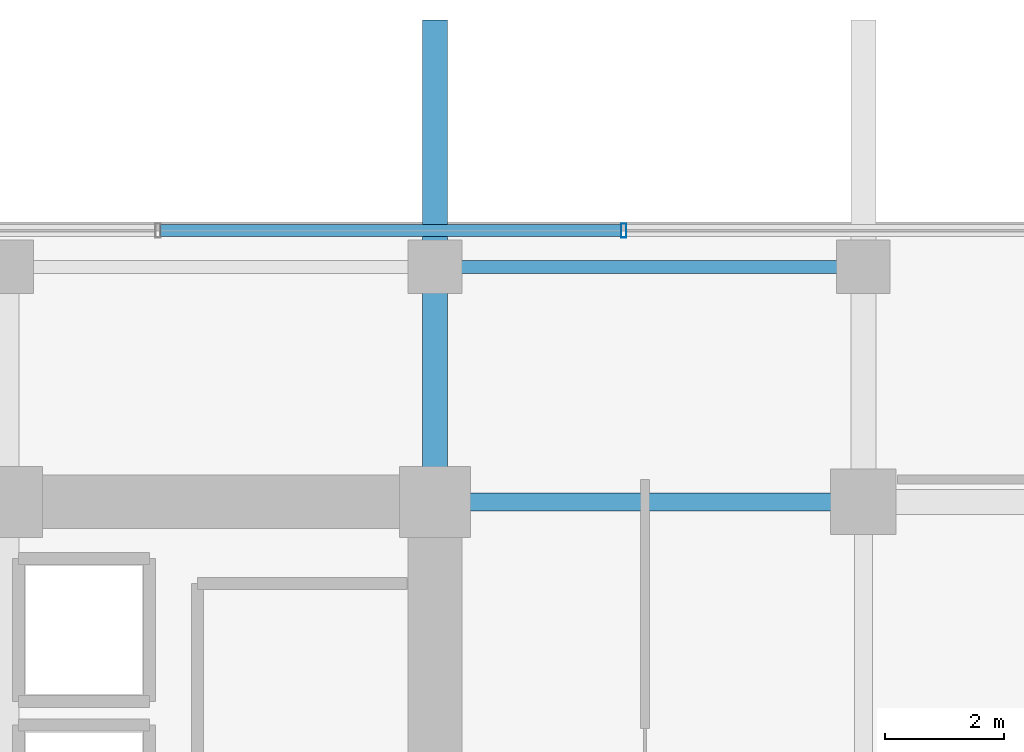
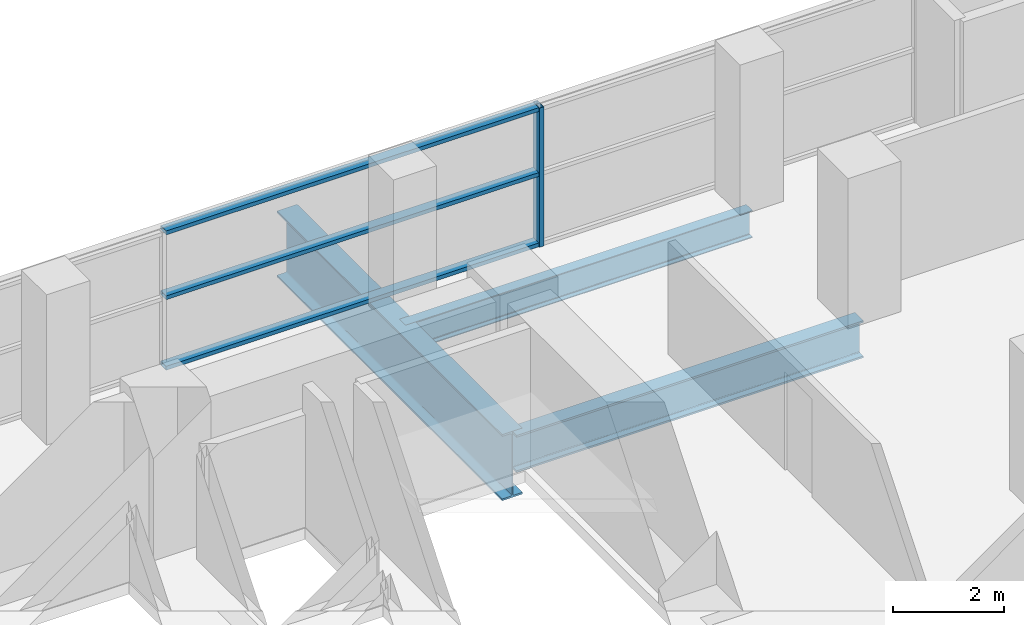
# One storey, part 20 of 32: 4 members, 3 beams, 1 element without a shape of its own.
"""IFC4 building model written with IfcOpenShell, lengths in metres."""

from ifc_helpers import new_model, si_unit, direction, frame, origin, origin_2d, place, context, subcontext, project, spatial, hollow_rectangle, i_section, extrude, source, transform, mapped, material, layer, layer_set, material_profile, profile_set, type_object, element, aggregate, save


model = new_model("IFC4")

# Units and contexts
model_context = context("Model", 3, precision=1e-05, world=origin(), true_north=direction((0.0, 1.0)))
body_context = subcontext(model_context, "Body", "Model", "MODEL_VIEW")
ifc_project = project(units=[si_unit("LENGTHUNIT", "METRE"), si_unit("AREAUNIT", "SQUARE_METRE"), si_unit("VOLUMEUNIT", "CUBIC_METRE"), si_unit("PLANEANGLEUNIT", "RADIAN"), si_unit("MASSUNIT", "GRAM", prefix="KILO")], contexts=[model_context])

# Site, building, storey
site_placement = place(None, origin())
site = spatial("IfcSite", under=ifc_project, at=site_placement, CompositionType="ELEMENT")
building_placement = place(site_placement, origin())
building = spatial("IfcBuilding", under=site, at=building_placement, Name="Zarnakvel Exchange Tower", CompositionType="ELEMENT")
storey_placement = place(building_placement, frame((0.0, 0.0, 27.39990234375)))
storey = spatial("IfcBuildingStorey", under=building, at=storey_placement, Name="L06", CompositionType="ELEMENT", Elevation=27.39990234375)

# Beams
ifc_material_1 = material(Name="Steel S355", Category="steel")
ifc_material_profile_1 = material_profile(ifc_material_1, i_section(OverallWidth=0.219970703125, OverallDepth=0.60009765625, WebThickness=0.011962890625, FlangeThickness=0.01904296875, FilletRadius=0.02392578125, at=origin_2d()))
ifc_profile_set_1 = profile_set([ifc_material_profile_1], Name="Steel S355")
beam_type_1 = type_object("IfcBeamType", Name="SP-01", PredefinedType="SPANDREL", material=ifc_profile_set_1)
beam_1_placement = place(storey_placement, frame((14.39990234375, 17.449951171875, -0.5498046875), z_axis=(1.0, 0.0, 0.0), x_axis=(0.0, 1.0, 0.0)))
element("IfcBeam", 1, at=beam_1_placement, inside=storey, type_object=beam_type_1, Name="L06 Tower E-W Frame Beam", PredefinedType="SPANDREL", context=body_context, shape_type="SweptSolid", body=[
    extrude(i_section(OverallWidth=0.219970703125, OverallDepth=0.60009765625, WebThickness=0.011962890625, FlangeThickness=0.01904296875, FilletRadius=0.02392578125, at=origin_2d()), origin(), (0.0, 0.0, 1.0), 7.2001953125),
])
ifc_material_2 = material(Name="Steel S460", Category="steel")
ifc_material_profile_2 = material_profile(ifc_material_2, i_section(OverallWidth=0.419921875, OverallDepth=1.449951171875, WebThickness=0.02392578125, FlangeThickness=0.0400390625, FilletRadius=0.030029296875, at=origin_2d()))
ifc_profile_set_2 = profile_set([ifc_material_profile_2], Name="Steel S460")
beam_type_2 = type_object("IfcBeamType", Name="TG-01", PredefinedType="BEAM", material=ifc_profile_set_2)
beam_2_placement = place(storey_placement, frame((14.39990234375, 13.5, -0.974853515625), z_axis=(0.0, 1.0, 0.0), x_axis=(-1.0, 0.0, 0.0)))
element("IfcBeam", 2, at=beam_2_placement, inside=storey, type_object=beam_type_2, Name="L06 Setback N-S Transfer Girder TN-9", PredefinedType="BEAM", context=body_context, shape_type="SweptSolid", body=[
    extrude(i_section(OverallWidth=0.419921875, OverallDepth=1.449951171875, WebThickness=0.02392578125, FlangeThickness=0.0400390625, FilletRadius=0.030029296875, at=origin_2d()), origin(), (0.0, 0.0, 1.0), 8.10009765625),
])
ifc_material_profile_3 = material_profile(ifc_material_2, i_section(OverallWidth=0.302978515625, OverallDepth=0.81396484375, WebThickness=0.02099609375, FlangeThickness=0.0400390625, FilletRadius=0.030029296875, at=origin_2d()))
ifc_profile_set_3 = profile_set([ifc_material_profile_3], Name="Steel S460")
beam_type_3 = type_object("IfcBeamType", Name="TG-06", PredefinedType="BEAM", material=ifc_profile_set_3)
beam_3_placement = place(storey_placement, frame((14.39990234375, 13.5, -0.656982421875), z_axis=(1.0, 0.0, 0.0), x_axis=(0.0, 1.0, 0.0)))
element("IfcBeam", 3, at=beam_3_placement, inside=storey, type_object=beam_type_3, Name="L06 Podium Collector Girder TG-06", PredefinedType="BEAM", context=body_context, shape_type="SweptSolid", body=[
    extrude(i_section(OverallWidth=0.302978515625, OverallDepth=0.81396484375, WebThickness=0.02099609375, FlangeThickness=0.0400390625, FilletRadius=0.030029296875, at=origin_2d()), origin(), (0.0, 0.0, 1.0), 7.2001953125),
])

# Curtain wall, members
ifc_material_3 = material(Name="Architectural Bronze Anodised Aluminium", Category="aluminium")
ifc_layer = layer(ifc_material_3, 0.239990234375)
ifc_layer_set = layer_set([ifc_layer], Name="Architectural Bronze Anodised Aluminium")
curtain_wall_type = type_object("IfcCurtainWallType", Name="CW-02", PredefinedType="NOTDEFINED", material=ifc_layer_set)
curtain_wall_placement = place(storey_placement, origin())
curtain_wall = element("IfcCurtainWall", 4, at=curtain_wall_placement, inside=storey, type_object=curtain_wall_type, Name="L06 Curtain Wall CW-L06-N1 (CW-02)", PredefinedType="NOTDEFINED")
ifc_material_profile_4 = material_profile(ifc_material_3, hollow_rectangle(XDim=0.239990234375, YDim=0.090087890625, WallThickness=0.006103515625, at=origin_2d()))
ifc_profile_set_4 = profile_set([ifc_material_profile_4], Name="Architectural Bronze Anodised Aluminium")
member_type_1 = type_object("IfcMemberType", Name="CWM-02", PredefinedType="MULLION", material=ifc_profile_set_4)
shared_shape_1 = source(origin(), body_context, "Body", "SweptSolid", [
    extrude(hollow_rectangle(XDim=0.239990234375, YDim=0.090087890625, WallThickness=0.006103515625, at=origin_2d()), origin(), (0.0, 0.0, 1.0), 3.05517578125),
])
member_1_placement = place(storey_placement, frame((17.571533203125, 18.06005859375, 0.0), z_axis=(0.0, 0.0, 1.0), x_axis=(0.0, 1.0, 0.0)))
member_1 = element("IfcMember", 5, at=member_1_placement, type_object=member_type_1, Name="CW-02 mullion 7", PredefinedType="MULLION", context=body_context, shape_type="MappedRepresentation", body=[
    mapped(shared_shape_1, transform((0.0, 0.0, 0.0), x_axis=(1.0, 0.0, 0.0), y_axis=(0.0, 1.0, 0.0), z_axis=(0.0, 0.0, 1.0), scale=1.0)),
])
ifc_material_profile_5 = material_profile(ifc_material_3, hollow_rectangle(XDim=0.199951171875, YDim=0.0849609375, WallThickness=0.0048828125, at=origin_2d()))
ifc_profile_set_5 = profile_set([ifc_material_profile_5], Name="Architectural Bronze Anodised Aluminium")
member_type_2 = type_object("IfcMemberType", Name="CWT-02", PredefinedType="USERDEFINED", material=ifc_profile_set_5)
shared_shape_2 = source(origin(), body_context, "Body", "SweptSolid", [
    extrude(hollow_rectangle(XDim=0.199951171875, YDim=0.0849609375, WallThickness=0.0048828125, at=origin_2d()), origin(), (0.0, 0.0, 1.0), 7.738525390625),
])
member_2_placement = place(storey_placement, frame((9.787841796875, 18.06005859375, 0.04248046875), z_axis=(1.0, 0.0, 0.0), x_axis=(0.0, 1.0, 0.0)))
member_2 = element("IfcMember", 6, at=member_2_placement, type_object=member_type_2, Name="CW-02 transom 6.1", ObjectType="TRANSOM", PredefinedType="USERDEFINED", context=body_context, shape_type="MappedRepresentation", body=[
    mapped(shared_shape_2, transform((0.0, 0.0, 0.0), x_axis=(1.0, 0.0, 0.0), y_axis=(0.0, 1.0, 0.0), z_axis=(0.0, 0.0, 1.0), scale=1.0)),
])
member_3_placement = place(storey_placement, frame((9.787841796875, 18.06005859375, 1.588623046875), z_axis=(1.0, 0.0, 0.0), x_axis=(0.0, 1.0, 0.0)))
member_3 = element("IfcMember", 7, at=member_3_placement, type_object=member_type_2, Name="CW-02 transom 6.2", ObjectType="TRANSOM", PredefinedType="USERDEFINED", context=body_context, shape_type="MappedRepresentation", body=[
    mapped(shared_shape_2, transform((0.0, 0.0, 0.0), x_axis=(1.0, 0.0, 0.0), y_axis=(0.0, 1.0, 0.0), z_axis=(0.0, 0.0, 1.0), scale=1.0)),
])
member_4_placement = place(storey_placement, frame((9.787841796875, 18.06005859375, 3.0126953125), z_axis=(1.0, 0.0, 0.0), x_axis=(0.0, 1.0, 0.0)))
member_4 = element("IfcMember", 8, at=member_4_placement, type_object=member_type_2, Name="CW-02 transom 6.3", ObjectType="TRANSOM", PredefinedType="USERDEFINED", context=body_context, shape_type="MappedRepresentation", body=[
    mapped(shared_shape_2, transform((0.0, 0.0, 0.0), x_axis=(1.0, 0.0, 0.0), y_axis=(0.0, 1.0, 0.0), z_axis=(0.0, 0.0, 1.0), scale=1.0)),
])
aggregate(curtain_wall, [member_1, member_2, member_3, member_4])

save(model, "model.ifc")
